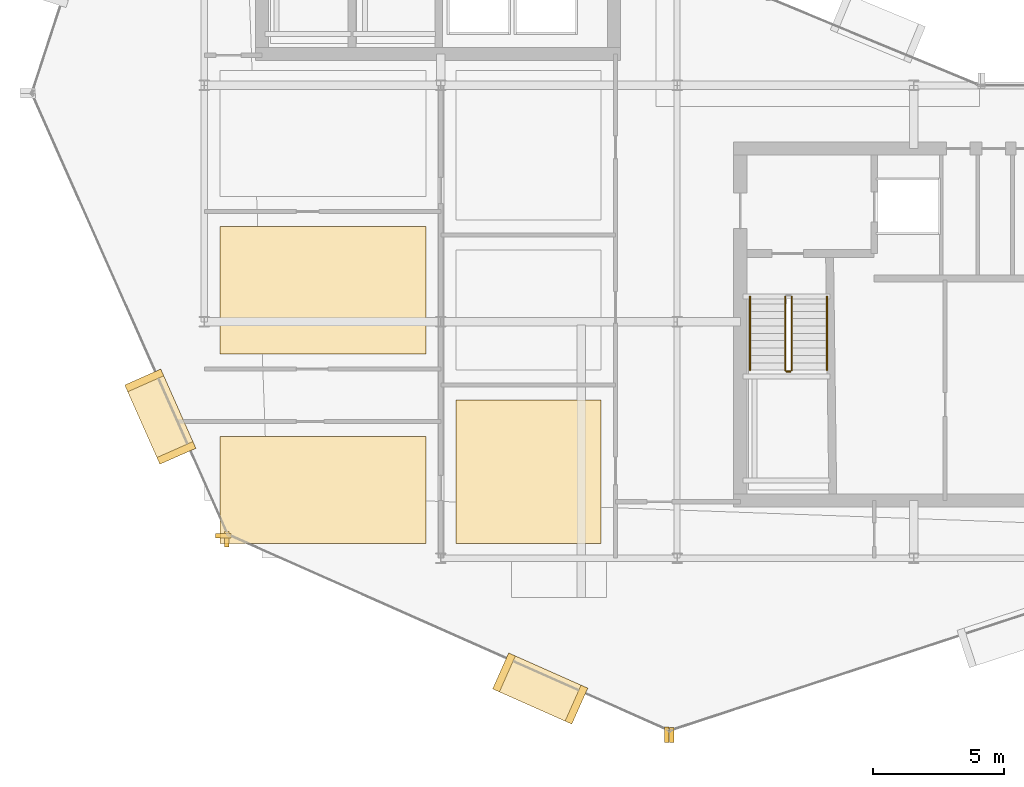
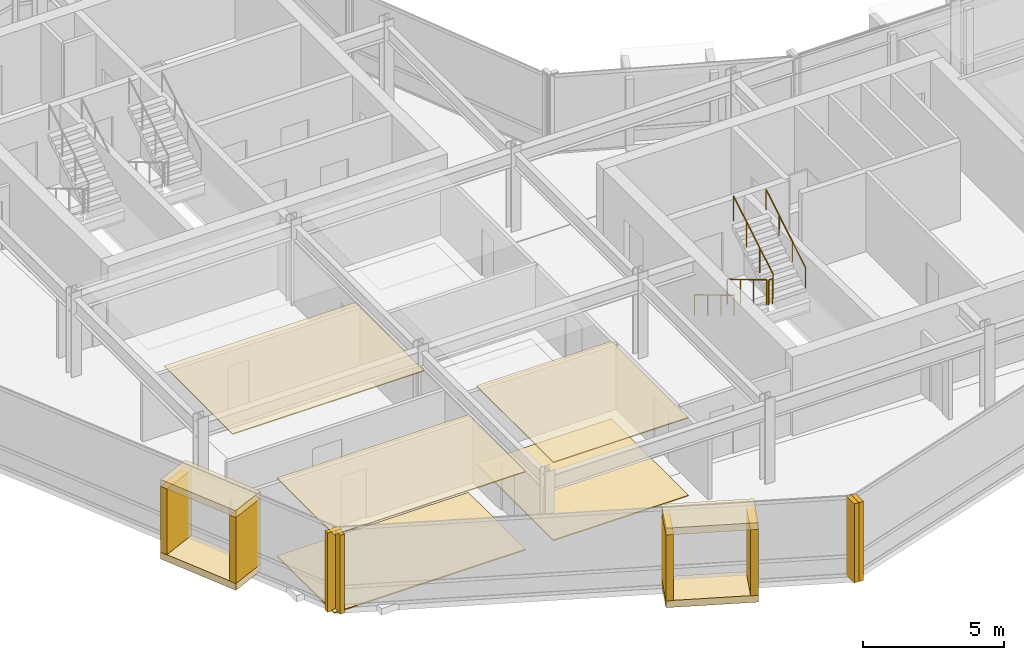
# One storey, part 23 of 28: 17 coverings, 5 railings.
"""IFC4 building model written with IfcOpenShell, lengths in metres."""

from ifc_helpers import new_model, si_unit, direction, frame, origin, origin_2d, place, context, subcontext, project, spatial, polyline, rectangle, circle, outline, extrude, material, layer, layer_set, type_object, element, save


model = new_model("IFC4")

# Units and contexts
model_context = context("Model", 3, precision=1e-05, world=origin(), true_north=direction((0.0, 1.0)))
body_context = subcontext(model_context, "Body", "Model", "MODEL_VIEW")
ifc_project = project(units=[si_unit("LENGTHUNIT", "METRE"), si_unit("AREAUNIT", "SQUARE_METRE"), si_unit("VOLUMEUNIT", "CUBIC_METRE"), si_unit("PLANEANGLEUNIT", "RADIAN"), si_unit("MASSUNIT", "GRAM", prefix="KILO")], contexts=[model_context])

# Site, building, storey
site_placement = place(None, origin())
site = spatial("IfcSite", under=ifc_project, at=site_placement, CompositionType="ELEMENT")
building_placement = place(site_placement, origin())
building = spatial("IfcBuilding", under=site, at=building_placement, Name="Solvaryn Broadcast Tower", CompositionType="ELEMENT")
storey_placement = place(building_placement, frame((0.0, 0.0, 209.89990234375)))
storey = spatial("IfcBuildingStorey", under=building, at=storey_placement, Name="L52", CompositionType="ELEMENT", Elevation=209.89990234375)

# Coverings
ifc_material_1 = material(Name="Micro-Perforated Acoustic Gypsum Ceiling", Category="concrete")
ifc_layer_1 = layer(ifc_material_1, 0.0400390625)
ifc_layer_set_1 = layer_set([ifc_layer_1], Name="CV-CEIL-ACOUSTIC")
covering_type_1 = type_object("IfcCoveringType", Name="CV-CEIL-ACOUSTIC", PredefinedType="CEILING", material=ifc_layer_set_1)
covering_1_placement = place(storey_placement, frame((0.0, 0.0, 3.380126953125)))
element("IfcCovering", 1, at=covering_1_placement, inside=storey, type_object=covering_type_1, Name="L52 Room Acoustic Ceiling 1", PredefinedType="CEILING", context=body_context, shape_type="SweptSolid", body=[
    extrude(outline(polyline([(18.570068359375, 9.570068359375), (24.10009765625, 9.570068359375), (24.10009765625, 15.030029296875), (18.570068359375, 15.030029296875), (18.570068359375, 9.570068359375)])), origin(), (0.0, 0.0, 1.0), 0.0400390625),
])
covering_2_placement = place(storey_placement, frame((0.0, 0.0, 3.380126953125)))
element("IfcCovering", 2, at=covering_2_placement, inside=storey, type_object=covering_type_1, Name="L52 Room Acoustic Ceiling 4", PredefinedType="CEILING", context=body_context, shape_type="SweptSolid", body=[
    extrude(outline(polyline([(9.60009765625, 9.570068359375), (17.429931640625, 9.570068359375), (17.429931640625, 13.6298828125), (9.60009765625, 13.6298828125), (9.60009765625, 9.570068359375)])), origin(), (0.0, 0.0, 1.0), 0.0400390625),
])
covering_3_placement = place(storey_placement, frame((0.0, 0.0, 3.380126953125)))
element("IfcCovering", 3, at=covering_3_placement, inside=storey, type_object=covering_type_1, Name="L52 Room Acoustic Ceiling 5", PredefinedType="CEILING", context=body_context, shape_type="SweptSolid", body=[
    extrude(outline(polyline([(9.60009765625, 16.77001953125), (17.429931640625, 16.77001953125), (17.429931640625, 21.6298828125), (9.60009765625, 21.6298828125), (9.60009765625, 16.77001953125)])), origin(), (0.0, 0.0, 1.0), 0.0400390625),
])
ifc_material_2 = material(Name="Newsroom Raised Data Access Flooring", Category="steel")
ifc_layer_2 = layer(ifc_material_2, 0.050048828125)
ifc_layer_set_2 = layer_set([ifc_layer_2], Name="CV-FLOOR-RAISED")
covering_type_2 = type_object("IfcCoveringType", Name="CV-FLOOR-RAISED", PredefinedType="FLOORING", material=ifc_layer_set_2)
covering_4_placement = place(storey_placement, origin())
element("IfcCovering", 4, at=covering_4_placement, inside=storey, type_object=covering_type_2, Name="L52 Room Acoustic Floor Finish 1", PredefinedType="FLOORING", context=body_context, shape_type="SweptSolid", body=[
    extrude(outline(polyline([(18.570068359375, 9.570068359375), (24.10009765625, 9.570068359375), (24.10009765625, 15.030029296875), (18.570068359375, 15.030029296875), (18.570068359375, 9.570068359375)])), origin(), (0.0, 0.0, 1.0), 0.050048828125),
])
covering_5_placement = place(storey_placement, origin())
element("IfcCovering", 5, at=covering_5_placement, inside=storey, type_object=covering_type_2, Name="L52 Room Acoustic Floor Finish 4", PredefinedType="FLOORING", context=body_context, shape_type="SweptSolid", body=[
    extrude(outline(polyline([(9.60009765625, 9.570068359375), (17.429931640625, 9.570068359375), (17.429931640625, 13.6298828125), (9.60009765625, 13.6298828125), (9.60009765625, 9.570068359375)])), origin(), (0.0, 0.0, 1.0), 0.050048828125),
])
ifc_material_3 = material(Name="Glazed Architectural Terracotta Rainscreen Cladding", Category="masonry")
ifc_layer_3 = layer(ifc_material_3, 0.280029296875)
ifc_layer_set_3 = layer_set([ifc_layer_3], Name="CV-TC-CLAD")
covering_type_3 = type_object("IfcCoveringType", Name="CV-TC-CLAD", PredefinedType="CLADDING", material=ifc_layer_set_3)
for number, where, z_axis, x_axis, name in (
    (6, (7.322998046875, 14.388916015625, 3.1298828125), (0.0, 0.0, 1.0), (0.405939269498, -0.913900054426, 0.0), "L52 Projecting Stone Window Box Hood 2"),
    (7, (7.322998046875, 14.388916015625, -0.009765625), (0.0, 0.0, 1.0), (0.405939269498, -0.913900054426, 0.0), "L52 Projecting Stone Window Box Sill 2"),
):
    element("IfcCovering", number, at=place(storey_placement, frame(where, z_axis=z_axis, x_axis=x_axis)), inside=storey, type_object=covering_type_3, Name=name, PredefinedType="CLADDING", context=body_context, shape_type="SweptSolid", body=[
        extrude(rectangle(XDim=3.300048828125, YDim=1.5, at=origin_2d()), origin(), (0.0, 0.0, 1.0), 0.300048828125),
    ])
for number, where, z_axis, x_axis, name in (
    (8, (6.7099609375, 15.76904296875, 0.2802734375), (0.0, 0.0, 1.0), (0.405939269498, -0.913900054426, 0.0), "L52 Projecting Stone Window Box Cheek 2-1"),
    (9, (7.93603515625, 13.009033203125, 0.2802734375), (0.0, 0.0, 1.0), (0.405939269498, -0.913900054426, 0.0), "L52 Projecting Stone Window Box Cheek 2-2"),
):
    element("IfcCovering", number, at=place(storey_placement, frame(where, z_axis=z_axis, x_axis=x_axis)), inside=storey, type_object=covering_type_3, Name=name, PredefinedType="CLADDING", context=body_context, shape_type="SweptSolid", body=[
        extrude(rectangle(XDim=0.280029296875, YDim=1.5, at=origin_2d()), origin(), (0.0, 0.0, 1.0), 2.860107421875),
    ])
for number, where, z_axis, x_axis, name in (
    (10, (21.784912109375, 4.0390625, 3.1298828125), (0.0, 0.0, 1.0), (0.913900054426, -0.405939269498, 0.0), "L52 Projecting Stone Window Box Hood 3"),
    (11, (21.784912109375, 4.0390625, -0.009765625), (0.0, 0.0, 1.0), (0.913900054426, -0.405939269498, 0.0), "L52 Projecting Stone Window Box Sill 3"),
):
    element("IfcCovering", number, at=place(storey_placement, frame(where, z_axis=z_axis, x_axis=x_axis)), inside=storey, type_object=covering_type_3, Name=name, PredefinedType="CLADDING", context=body_context, shape_type="SweptSolid", body=[
        extrude(rectangle(XDim=3.300048828125, YDim=1.5, at=origin_2d()), origin(), (0.0, 0.0, 1.0), 0.300048828125),
    ])
for number, where, z_axis, x_axis, name in (
    (12, (20.405029296875, 4.652099609375, 0.2802734375), (0.0, 0.0, 1.0), (0.913900054426, -0.405939269498, 0.0), "L52 Projecting Stone Window Box Cheek 3-1"),
    (13, (23.1650390625, 3.426025390625, 0.2802734375), (0.0, 0.0, 1.0), (0.913900054426, -0.405939269498, 0.0), "L52 Projecting Stone Window Box Cheek 3-2"),
):
    element("IfcCovering", number, at=place(storey_placement, frame(where, z_axis=z_axis, x_axis=x_axis)), inside=storey, type_object=covering_type_3, Name=name, PredefinedType="CLADDING", context=body_context, shape_type="SweptSolid", body=[
        extrude(rectangle(XDim=0.280029296875, YDim=1.5, at=origin_2d()), origin(), (0.0, 0.0, 1.0), 2.860107421875),
    ])
ifc_material_4 = material(Name="Extruded Architectural Terracotta Fin", Category="masonry")
ifc_layer_4 = layer(ifc_material_4, 0.179931640625)
ifc_layer_set_4 = layer_set([ifc_layer_4], Name="CV-TC-FIN")
covering_type_4 = type_object("IfcCoveringType", Name="CV-TC-FIN", PredefinedType="USERDEFINED", material=ifc_layer_set_4)
covering_6_placement = place(storey_placement, frame((9.7216796875, 9.852783203125, 0.000244140625), z_axis=(0.0, 0.0, 1.0), x_axis=(1.0, 0.0, 0.0)))
element("IfcCovering", 14, at=covering_6_placement, inside=storey, type_object=covering_type_4, Name="L52 Terracotta Vertical Fin FIN-L52-DR2-M01", ObjectType="FIN", PredefinedType="USERDEFINED", context=body_context, shape_type="SweptSolid", body=[
    extrude(rectangle(XDim=0.580078125, YDim=0.179931640625, at=origin_2d()), origin(), (0.0, 0.0, 1.0), 3.419921875),
])
for number, where, z_axis, x_axis, name in (
    (15, (9.852783203125, 9.7216796875, 0.000244140625), (0.0, 0.0, 1.0), (1.0, 0.0, 0.0), "L52 Terracotta Vertical Fin FIN-L52-DR3-M00"),
    (16, (26.605712890625, 2.281005859375, 0.000244140625), (0.0, 0.0, 1.0), (1.0, 0.0, 0.0), "L52 Terracotta Vertical Fin FIN-L52-DR3-M01"),
    (17, (26.790771484375, 2.271240234375, 0.000244140625), (0.0, 0.0, 1.0), (1.0, 0.0, 0.0), "L52 Terracotta Vertical Fin FIN-L52-DR4-M00"),
):
    element("IfcCovering", number, at=place(storey_placement, frame(where, z_axis=z_axis, x_axis=x_axis)), inside=storey, type_object=covering_type_4, Name=name, ObjectType="FIN", PredefinedType="USERDEFINED", context=body_context, shape_type="SweptSolid", body=[
        extrude(rectangle(XDim=0.179931640625, YDim=0.580078125, at=origin_2d()), origin(), (0.0, 0.0, 1.0), 3.419921875),
    ])

# Railings
ifc_material_5 = material(Name="Painted Steel Stair Well Guard", Category="steel")
railing_type_1 = type_object("IfcRailingType", Name="RL-STAIR-GUARD", PredefinedType="BALUSTRADE", material=ifc_material_5)
railing_1_placement = place(storey_placement, frame((31.110107421875, 18.9599609375, 0.168212890625)))
element("IfcRailing", 18, at=railing_1_placement, inside=storey, type_object=railing_type_1, Name="L52 ST3 stair guard 1", PredefinedType="BALUSTRADE", context=body_context, shape_type="SweptSolid", body=[
    extrude(circle(Radius=0.02392578125, at=origin_2d()), frame((0.0, 0.0, 1.076171875), z_axis=(0.0, -0.857242210791, 0.514913383045), x_axis=(1.0, 0.0, 0.0)), (0.0, 0.0, 1.0), 3.266357421875),
    extrude(circle(Radius=0.02099609375, at=origin_2d()), origin(), (0.0, 0.0, 1.0), 1.052001953125),
    extrude(circle(Radius=0.02099609375, at=origin_2d()), frame((0.0, -0.933349609375, 0.560546875)), (0.0, 0.0, 1.0), 1.052001953125),
    extrude(circle(Radius=0.02099609375, at=origin_2d()), frame((0.0, -1.86669921875, 1.121337890625)), (0.0, 0.0, 1.0), 1.052001953125),
    extrude(circle(Radius=0.02099609375, at=origin_2d()), frame((0.0, -2.800048828125, 1.681884765625)), (0.0, 0.0, 1.0), 1.052001953125),
])
railing_2_placement = place(storey_placement, frame((31.159912109375, 16.110107421875, 1.85009765625)))
element("IfcRailing", 19, at=railing_2_placement, inside=storey, type_object=railing_type_1, Name="L52 ST3 stair guard 2", PredefinedType="BALUSTRADE", context=body_context, shape_type="SweptSolid", body=[
    extrude(circle(Radius=0.02392578125, at=origin_2d()), frame((0.0, 0.0, 1.076171875), z_axis=(1.0, 0.0, 0.0), x_axis=(0.0, 1.0, 0.0)), (0.0, 0.0, 1.0), 0.150146484375),
    extrude(circle(Radius=0.02099609375, at=origin_2d()), origin(), (0.0, 0.0, 1.0), 1.052001953125),
    extrude(circle(Radius=0.02099609375, at=origin_2d()), frame((0.150146484375, 0.0, 0.0)), (0.0, 0.0, 1.0), 1.052001953125),
])
railing_3_placement = place(storey_placement, frame((31.360107421875, 16.159912109375, 2.018310546875)))
element("IfcRailing", 20, at=railing_3_placement, inside=storey, type_object=railing_type_1, Name="L52 ST3 stair guard 3", PredefinedType="BALUSTRADE", context=body_context, shape_type="SweptSolid", body=[
    extrude(circle(Radius=0.02392578125, at=origin_2d()), frame((0.0, 0.0, 1.076171875), z_axis=(0.0, 0.857242210791, 0.514913383045), x_axis=(-1.0, 0.0, 0.0)), (0.0, 0.0, 1.0), 3.266357421875),
    extrude(circle(Radius=0.02099609375, at=origin_2d()), origin(), (0.0, 0.0, 1.0), 1.052001953125),
    extrude(circle(Radius=0.02099609375, at=origin_2d()), frame((0.0, 0.933349609375, 0.560546875)), (0.0, 0.0, 1.0), 1.052001953125),
    extrude(circle(Radius=0.02099609375, at=origin_2d()), frame((0.0, 1.86669921875, 1.121337890625)), (0.0, 0.0, 1.0), 1.052001953125),
    extrude(circle(Radius=0.02099609375, at=origin_2d()), frame((0.0, 2.800048828125, 1.681884765625)), (0.0, 0.0, 1.0), 1.052001953125),
])
ifc_material_6 = material(Name="Brushed Stainless Steel Tubular Handrail", Category="steel")
railing_type_2 = type_object("IfcRailingType", Name="RL-STAIR-HANDRAIL", PredefinedType="HANDRAIL", material=ifc_material_6)
railing_4_placement = place(storey_placement, frame((29.77001953125, 18.9599609375, 0.168212890625)))
element("IfcRailing", 21, at=railing_4_placement, inside=storey, type_object=railing_type_2, Name="L52 ST3 stair handrail 1", PredefinedType="HANDRAIL", context=body_context, shape_type="SweptSolid", body=[
    extrude(circle(Radius=0.02392578125, at=origin_2d()), frame((0.0, 0.0, 0.8759765625), z_axis=(0.0, -0.857242210791, 0.514913383045), x_axis=(1.0, 0.0, 0.0)), (0.0, 0.0, 1.0), 3.266357421875),
    extrude(circle(Radius=0.02099609375, at=origin_2d()), origin(), (0.0, 0.0, 1.0), 0.851806640625),
    extrude(circle(Radius=0.02099609375, at=origin_2d()), frame((0.0, -0.933349609375, 0.560546875)), (0.0, 0.0, 1.0), 0.851806640625),
    extrude(circle(Radius=0.02099609375, at=origin_2d()), frame((0.0, -1.86669921875, 1.121337890625)), (0.0, 0.0, 1.0), 0.851806640625),
    extrude(circle(Radius=0.02099609375, at=origin_2d()), frame((0.0, -2.800048828125, 1.681884765625)), (0.0, 0.0, 1.0), 0.851806640625),
])
railing_5_placement = place(storey_placement, frame((32.699951171875, 16.159912109375, 2.018310546875)))
element("IfcRailing", 22, at=railing_5_placement, inside=storey, type_object=railing_type_2, Name="L52 ST3 stair handrail 2", PredefinedType="HANDRAIL", context=body_context, shape_type="SweptSolid", body=[
    extrude(circle(Radius=0.02392578125, at=origin_2d()), frame((0.0, 0.0, 0.8759765625), z_axis=(0.0, 0.857242210791, 0.514913383045), x_axis=(-1.0, 0.0, 0.0)), (0.0, 0.0, 1.0), 3.266357421875),
    extrude(circle(Radius=0.02099609375, at=origin_2d()), origin(), (0.0, 0.0, 1.0), 0.851806640625),
    extrude(circle(Radius=0.02099609375, at=origin_2d()), frame((0.0, 0.933349609375, 0.560546875)), (0.0, 0.0, 1.0), 0.851806640625),
    extrude(circle(Radius=0.02099609375, at=origin_2d()), frame((0.0, 1.86669921875, 1.121337890625)), (0.0, 0.0, 1.0), 0.851806640625),
    extrude(circle(Radius=0.02099609375, at=origin_2d()), frame((0.0, 2.800048828125, 1.681884765625)), (0.0, 0.0, 1.0), 0.851806640625),
])

save(model, "model.ifc")
